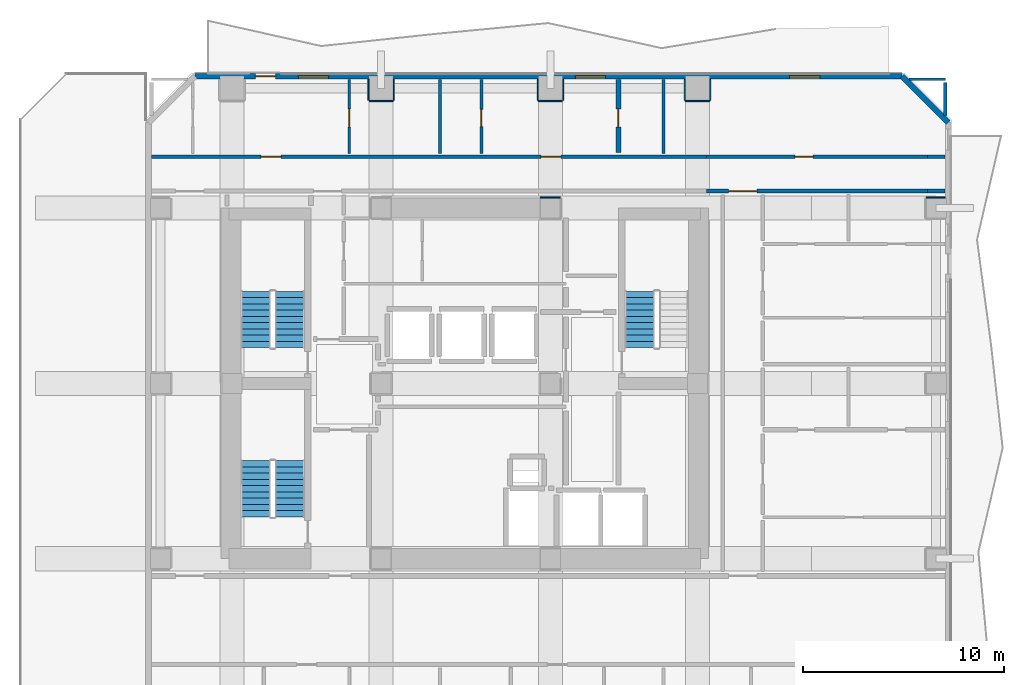
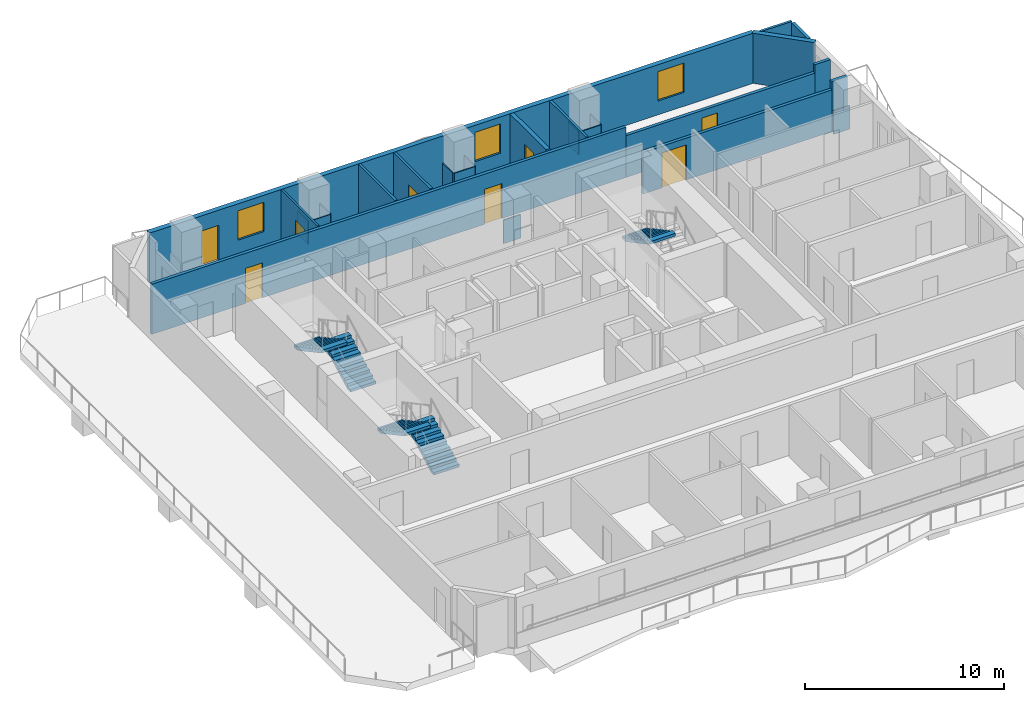
# One storey, part 6 of 10: 25 walls, 8 doors, 5 stair flights, 3 windows, 11 openings, 3 elements without a shape of their own.
"""IFC4 building model written with IfcOpenShell, lengths in metres."""

from ifc_helpers import new_model, si_unit, direction, frame, frame_2d, origin, place, context, subcontext, project, spatial, polyline, rectangle, outline, extrude, material, layer, layer_set, type_object, element, fill, aggregate, save


model = new_model("IFC4")

# Units and contexts
model_context = context("Model", 3, precision=1e-05, world=origin(), true_north=direction((0.0, 1.0)))
body_context = subcontext(model_context, "Body", "Model", "MODEL_VIEW")
ifc_project = project(units=[si_unit("LENGTHUNIT", "METRE"), si_unit("AREAUNIT", "SQUARE_METRE"), si_unit("VOLUMEUNIT", "CUBIC_METRE"), si_unit("PLANEANGLEUNIT", "RADIAN"), si_unit("MASSUNIT", "GRAM", prefix="KILO")], contexts=[model_context])

# Site, building, storey
site_placement = place(None, origin())
site = spatial("IfcSite", under=ifc_project, at=site_placement, CompositionType="ELEMENT")
building_placement = place(site_placement, origin())
building = spatial("IfcBuilding", under=site, at=building_placement, Name="Solanera Arch Residences", CompositionType="ELEMENT")
storey_placement = place(building_placement, frame((0.0, 0.0, 126.0)))
storey = spatial("IfcBuildingStorey", under=building, at=storey_placement, Name="L36", CompositionType="ELEMENT", Elevation=126.0)

# Walls
ifc_material_1 = material(Name="Fire-Rated Gypsum Stud Partition", Category="gypsum")
ifc_layer_1 = layer(ifc_material_1, 0.06005859375)
ifc_layer_set_1 = layer_set([ifc_layer_1], Name="Fire-Rated Gypsum Stud Partition")
wall_type_1 = type_object("IfcWallType", Name="Column Acoustic Furring Wall 60", PredefinedType="PARTITIONING", material=ifc_layer_set_1)
wall_1_placement = place(storey_placement, frame((28.699951171875, 39.931884765625, 0.0), z_axis=(0.0, 0.0, 1.0), x_axis=(1.0, 0.0, 0.0)))
element("IfcWall", 1, at=wall_1_placement, inside=storey, type_object=wall_type_1, Name="L36 Column Furring 4N", PredefinedType="PARTITIONING", context=body_context, shape_type="SweptSolid", body=[
    extrude(rectangle(XDim=1.0, YDim=0.06005859375, at=frame_2d((0.5, 0.0))), origin(), (0.0, 0.0, 1.0), 1.449951171875),
])
wall_2_placement = place(storey_placement, frame((20.199951171875, 44.718017578125, 0.0), z_axis=(0.0, 0.0, 1.0), x_axis=(1.0, 0.0, 0.0)))
element("IfcWall", 2, at=wall_2_placement, inside=storey, type_object=wall_type_1, Name="L36 Column Furring 12S", PredefinedType="PARTITIONING", context=body_context, shape_type="SweptSolid", body=[
    extrude(rectangle(XDim=1.199951171875, YDim=0.06005859375, at=frame_2d((0.60009765625, 0.0))), origin(), (0.0, 0.0, 1.0), 1.449951171875),
])
for number, where, z_axis, x_axis, name in (
    (3, (20.16796875, 44.75, 0.0), (0.0, 0.0, 1.0), (0.0, 1.0, 0.0), "L36 Column Furring 12W"),
    (4, (21.431884765625, 44.75, 0.0), (0.0, 0.0, 1.0), (0.0, 1.0, 0.0), "L36 Column Furring 12E"),
):
    element("IfcWall", number, at=place(storey_placement, frame(where, z_axis=z_axis, x_axis=x_axis)), inside=storey, type_object=wall_type_1, Name=name, PredefinedType="PARTITIONING", context=body_context, shape_type="SweptSolid", body=[
        extrude(rectangle(XDim=1.0400390625, YDim=0.06005859375, at=frame_2d((0.52001953125, 0.0))), origin(), (0.0, 0.0, 1.0), 1.449951171875),
    ])
wall_3_placement = place(storey_placement, frame((28.60009765625, 44.718017578125, 0.0), z_axis=(0.0, 0.0, 1.0), x_axis=(1.0, 0.0, 0.0)))
element("IfcWall", 5, at=wall_3_placement, inside=storey, type_object=wall_type_1, Name="L36 Column Furring 14S", PredefinedType="PARTITIONING", context=body_context, shape_type="SweptSolid", body=[
    extrude(rectangle(XDim=1.199951171875, YDim=0.06005859375, at=frame_2d((0.60009765625, 0.0))), origin(), (0.0, 0.0, 1.0), 1.449951171875),
])
for number, where, z_axis, x_axis, name in (
    (6, (28.568115234375, 44.75, 0.0), (0.0, 0.0, 1.0), (0.0, 1.0, 0.0), "L36 Column Furring 14W"),
    (7, (29.83203125, 44.75, 0.0), (0.0, 0.0, 1.0), (0.0, 1.0, 0.0), "L36 Column Furring 14E"),
):
    element("IfcWall", number, at=place(storey_placement, frame(where, z_axis=z_axis, x_axis=x_axis)), inside=storey, type_object=wall_type_1, Name=name, PredefinedType="PARTITIONING", context=body_context, shape_type="SweptSolid", body=[
        extrude(rectangle(XDim=1.0400390625, YDim=0.06005859375, at=frame_2d((0.52001953125, 0.0))), origin(), (0.0, 0.0, 1.0), 1.449951171875),
    ])
wall_4_placement = place(storey_placement, frame((35.89990234375, 44.718017578125, 0.0), z_axis=(0.0, 0.0, 1.0), x_axis=(1.0, 0.0, 0.0)))
element("IfcWall", 8, at=wall_4_placement, inside=storey, type_object=wall_type_1, Name="L36 Column Furring 16S", PredefinedType="PARTITIONING", context=body_context, shape_type="SweptSolid", body=[
    extrude(rectangle(XDim=1.2001953125, YDim=0.06005859375, at=frame_2d((0.60009765625, 0.0))), origin(), (0.0, 0.0, 1.0), 1.449951171875),
])
for number, where, z_axis, x_axis, name in (
    (9, (35.867919921875, 44.75, 0.0), (0.0, 0.0, 1.0), (0.0, 1.0, 0.0), "L36 Column Furring 16W"),
    (10, (37.132080078125, 44.75, 0.0), (0.0, 0.0, 1.0), (0.0, 1.0, 0.0), "L36 Column Furring 16E"),
):
    element("IfcWall", number, at=place(storey_placement, frame(where, z_axis=z_axis, x_axis=x_axis)), inside=storey, type_object=wall_type_1, Name=name, PredefinedType="PARTITIONING", context=body_context, shape_type="SweptSolid", body=[
        extrude(rectangle(XDim=1.0400390625, YDim=0.06005859375, at=frame_2d((0.52001953125, 0.0))), origin(), (0.0, 0.0, 1.0), 1.449951171875),
    ])
wall_5_placement = place(storey_placement, frame((47.85009765625, 39.931884765625, 0.0), z_axis=(0.0, 0.0, 1.0), x_axis=(1.0, 0.0, 0.0)))
element("IfcWall", 11, at=wall_5_placement, inside=storey, type_object=wall_type_1, Name="L36 Column Furring 22N", PredefinedType="PARTITIONING", context=body_context, shape_type="SweptSolid", body=[
    extrude(rectangle(XDim=0.93994140625, YDim=0.06005859375, at=frame_2d((0.469970703125, 0.0))), origin(), (0.0, 0.0, 1.0), 1.449951171875),
])

# Wall, opening, door
ifc_material_2 = material(Name="Autoclaved Aerated Concrete Blockwork", Category="masonry")
ifc_layer_2 = layer(ifc_material_2, 0.179931640625)
ifc_layer_set_2 = layer_set([ifc_layer_2], Name="Autoclaved Aerated Concrete Blockwork")
wall_type_2 = type_object("IfcWallType", Name="Corridor Fire Partition 180", PredefinedType="PARTITIONING", material=ifc_layer_set_2)
wall_6_placement = place(storey_placement, frame((36.943115234375, 40.25, 0.0), z_axis=(0.0, 0.0, 1.0), x_axis=(1.0, 0.0, 0.0)))
wall_6 = element("IfcWall", 12, at=wall_6_placement, inside=storey, type_object=wall_type_2, Name="L36 Interior Partition H12 2", PredefinedType="PARTITIONING", context=body_context, shape_type="SweptSolid", body=[
    extrude(rectangle(XDim=10.9638671875, YDim=0.179931640625, at=frame_2d((5.48193359375, 0.0))), origin(), (0.0, 0.0, 1.0), 2.56494140625),
])
opening_1_placement = place(wall_6_placement, frame((1.10693359375, 0.0, 0.0)))
opening_1 = element("IfcOpeningElement", 13, at=opening_1_placement, cuts=wall_6, Name="Opening DF-03", PredefinedType="OPENING", context=body_context, shape_type="SweptSolid", body=[
    extrude(rectangle(XDim=1.39990234375, YDim=2.14990234375, at=frame_2d((0.699951171875, 1.074951171875))), frame((0.0, 0.10009765625, 0.0), z_axis=(0.0, -1.0, 0.0), x_axis=(1.0, 0.0, 0.0)), (0.0, 0.0, 1.0), 0.1999),
])
ifc_material_3 = material(Name="Fire-Rated Architectural Hardwood", Category="wood")
door_type_1 = type_object("IfcDoorType", Name="Corridor Smoke Door DF-03", OperationType="NOTDEFINED", PredefinedType="DOOR", material=ifc_material_3)
door_1_placement = place(opening_1_placement, origin())
door_1 = element("IfcDoor", 14, at=door_1_placement, inside=storey, type_object=door_type_1, Name="DR-L36-IN-013", OperationType="SINGLE_SWING_RIGHT", OverallHeight=2.14990234375, OverallWidth=1.39990234375, PredefinedType="DOOR", context=body_context, shape_type="SweptSolid", body=[
    extrude(rectangle(XDim=1.39990234375, YDim=2.14990234375, at=frame_2d((0.699951171875, 1.074951171875))), frame((0.0, 0.02490234375, 0.0), z_axis=(0.0, -1.0, 0.0), x_axis=(1.0, 0.0, 0.0)), (0.0, 0.0, 1.0), 0.050048828125),
])
fill(opening_1, door_1)

# Wall
wall_7_placement = place(storey_placement, frame((47.906982421875, 40.25, 0.0), z_axis=(0.0, 0.0, 1.0), x_axis=(1.0, 0.0, 0.0)))
element("IfcWall", 15, at=wall_7_placement, inside=storey, type_object=wall_type_2, Name="L36 Interior Partition H12 3", PredefinedType="PARTITIONING", context=body_context, shape_type="SweptSolid", body=[
    extrude(rectangle(XDim=0.885986328125, YDim=0.179931640625, at=frame_2d((0.44287109375, 0.0))), origin(), (0.0, 0.0, 1.0), 3.080078125),
])

# Wall, openings, doors
wall_8_placement = place(storey_placement, frame((9.406982421875, 41.949951171875, 0.0), z_axis=(0.0, 0.0, 1.0), x_axis=(1.0, 0.0, 0.0)))
wall_8 = element("IfcWall", 16, at=wall_8_placement, inside=storey, type_object=wall_type_2, Name="L36 Interior Partition H13 1", PredefinedType="PARTITIONING", context=body_context, shape_type="SweptSolid", body=[
    extrude(rectangle(XDim=27.5361328125, YDim=0.179931640625, at=frame_2d((13.76806640625, 0.0))), origin(), (0.0, 0.0, 1.0), 3.080078125),
])
opening_2_placement = place(wall_8_placement, frame((5.427978515625, 0.0, 0.0)))
opening_2 = element("IfcOpeningElement", 17, at=opening_2_placement, cuts=wall_8, Name="Opening DI-01", PredefinedType="OPENING", context=body_context, shape_type="SweptSolid", body=[
    extrude(rectangle(XDim=1.0, YDim=2.14990234375, at=frame_2d((0.5, 1.074951171875))), frame((0.0, 0.10009765625, 0.0), z_axis=(0.0, -1.0, 0.0), x_axis=(1.0, 0.0, 0.0)), (0.0, 0.0, 1.0), 0.1999),
])
opening_3_placement = place(wall_8_placement, frame((19.31591796875, 0.0, 0.0)))
opening_3 = element("IfcOpeningElement", 18, at=opening_3_placement, cuts=wall_8, Name="Opening DI-01", PredefinedType="OPENING", context=body_context, shape_type="SweptSolid", body=[
    extrude(rectangle(XDim=1.0, YDim=2.14990234375, at=frame_2d((0.5, 1.074951171875))), frame((0.0, 0.10009765625, 0.0), z_axis=(0.0, -1.0, 0.0), x_axis=(1.0, 0.0, 0.0)), (0.0, 0.0, 1.0), 0.1999),
])
ifc_material_4 = material(Name="Fire-Rated Architectural Hardwood", Category="wood")
door_type_2 = type_object("IfcDoorType", Name="Unit Entrance Fire Door DI-01", OperationType="NOTDEFINED", PredefinedType="DOOR", material=ifc_material_4)
door_2_placement = place(opening_2_placement, origin())
door_2 = element("IfcDoor", 19, at=door_2_placement, inside=storey, type_object=door_type_2, Name="DR-L36-IN-028", OperationType="SINGLE_SWING_LEFT", OverallHeight=2.14990234375, OverallWidth=1.0, PredefinedType="DOOR", context=body_context, shape_type="SweptSolid", body=[
    extrude(rectangle(XDim=1.0, YDim=2.14990234375, at=frame_2d((0.5, 1.074951171875))), frame((0.0, 0.02490234375, 0.0), z_axis=(0.0, -1.0, 0.0), x_axis=(1.0, 0.0, 0.0)), (0.0, 0.0, 1.0), 0.050048828125),
])
fill(opening_2, door_2)
door_3_placement = place(opening_3_placement, origin())
door_3 = element("IfcDoor", 20, at=door_3_placement, inside=storey, type_object=door_type_2, Name="DR-L36-IN-031", OperationType="SINGLE_SWING_RIGHT", OverallHeight=2.14990234375, OverallWidth=1.0, PredefinedType="DOOR", context=body_context, shape_type="SweptSolid", body=[
    extrude(rectangle(XDim=1.0, YDim=2.14990234375, at=frame_2d((0.5, 1.074951171875))), frame((0.0, 0.02490234375, 0.0), z_axis=(0.0, -1.0, 0.0), x_axis=(1.0, 0.0, 0.0)), (0.0, 0.0, 1.0), 0.050048828125),
])
fill(opening_3, door_3)

# Wall, opening, door
wall_9_placement = place(storey_placement, frame((36.943115234375, 41.949951171875, 0.0), z_axis=(0.0, 0.0, 1.0), x_axis=(1.0, 0.0, 0.0)))
wall_9 = element("IfcWall", 21, at=wall_9_placement, inside=storey, type_object=wall_type_2, Name="L36 Interior Partition H13 2", PredefinedType="PARTITIONING", context=body_context, shape_type="SweptSolid", body=[
    extrude(rectangle(XDim=10.9638671875, YDim=0.179931640625, at=frame_2d((5.48193359375, 0.0))), origin(), (0.0, 0.0, 1.0), 2.56494140625),
])
opening_4_placement = place(wall_9_placement, frame((4.39306640625, 0.0, 0.0)))
opening_4 = element("IfcOpeningElement", 22, at=opening_4_placement, cuts=wall_9, Name="Opening DI-02", PredefinedType="OPENING", context=body_context, shape_type="SweptSolid", body=[
    extrude(rectangle(XDim=0.89990234375, YDim=2.10009765625, at=frame_2d((0.449951171875, 1.050048828125))), frame((0.0, 0.10009765625, 0.0), z_axis=(0.0, -1.0, 0.0), x_axis=(1.0, 0.0, 0.0)), (0.0, 0.0, 1.0), 0.1999),
])
ifc_material_5 = material(Name="Fire-Rated Architectural Hardwood", Category="wood")
door_type_3 = type_object("IfcDoorType", Name="Suite Room Swing Door DI-02", OperationType="NOTDEFINED", PredefinedType="DOOR", material=ifc_material_5)
door_4_placement = place(opening_4_placement, origin())
door_4 = element("IfcDoor", 23, at=door_4_placement, inside=storey, type_object=door_type_3, Name="DR-L36-IN-034", OperationType="SINGLE_SWING_LEFT", OverallHeight=2.10009765625, OverallWidth=0.89990234375, PredefinedType="DOOR", context=body_context, shape_type="SweptSolid", body=[
    extrude(rectangle(XDim=0.89990234375, YDim=2.10009765625, at=frame_2d((0.449951171875, 1.050048828125))), frame((0.0, 0.02490234375, 0.0), z_axis=(0.0, -1.0, 0.0), x_axis=(1.0, 0.0, 0.0)), (0.0, 0.0, 1.0), 0.050048828125),
])
fill(opening_4, door_4)

# Walls
wall_10_placement = place(storey_placement, frame((47.906982421875, 41.949951171875, 0.0), z_axis=(0.0, 0.0, 1.0), x_axis=(1.0, 0.0, 0.0)))
element("IfcWall", 24, at=wall_10_placement, inside=storey, type_object=wall_type_2, Name="L36 Interior Partition H13 3", PredefinedType="PARTITIONING", context=body_context, shape_type="SweptSolid", body=[
    extrude(rectangle(XDim=0.885986328125, YDim=0.179931640625, at=frame_2d((0.44287109375, 0.0))), origin(), (0.0, 0.0, 1.0), 3.080078125),
])
wall_11_placement = place(storey_placement, frame((48.800048828125, 44.0048828125, 0.0), z_axis=(0.0, 0.0, 1.0), x_axis=(0.0, 1.0, 0.0)))
element("IfcWall", 25, at=wall_11_placement, inside=storey, type_object=wall_type_2, Name="L36 Interior Partition V13 2", PredefinedType="PARTITIONING", context=body_context, shape_type="SweptSolid", body=[
    extrude(rectangle(XDim=1.627197265625, YDim=0.179931640625, at=frame_2d((0.8134765625, 0.0))), origin(), (0.0, 0.0, 1.0), 3.080078125),
])

# Wall, openings, door, windows
ifc_material_6 = material(Name="Precast Concrete C35/45", Category="concrete")
ifc_layer_3 = layer(ifc_material_6, 0.280029296875)
ifc_layer_set_3 = layer_set([ifc_layer_3], Name="Precast Concrete C35/45")
wall_type_3 = type_object("IfcWallType", Name="Exterior Wall Precast Masonry-Frame 280", PredefinedType="STANDARD", material=ifc_layer_set_3)
wall_12_placement = place(storey_placement, frame((11.554931640625, 45.945068359375, 0.0), z_axis=(0.0, 0.0, 1.0), x_axis=(1.0, 0.0, 0.0)))
wall_12 = element("IfcWall", 26, at=wall_12_placement, inside=storey, type_object=wall_type_3, Name="L36 Tower Exterior Precast Masonry-Frame Wall N", PredefinedType="STANDARD", context=body_context, shape_type="SweptSolid", body=[
    extrude(rectangle(XDim=35.090087890625, YDim=0.280029296875, at=frame_2d((17.544921875, 0.0))), origin(), (0.0, 0.0, 1.0), 3.080078125),
])
opening_5_placement = place(wall_12_placement, frame((3.009033203125, 0.0, 0.0)))
opening_5 = element("IfcOpeningElement", 27, at=opening_5_placement, cuts=wall_12, Name="Opening DB-01", PredefinedType="OPENING", context=body_context, shape_type="SweptSolid", body=[
    extrude(rectangle(XDim=1.0, YDim=2.14990234375, at=frame_2d((0.5, 1.074951171875))), frame((0.0, 0.14990234375, 0.0), z_axis=(0.0, -1.0, 0.0), x_axis=(1.0, 0.0, 0.0)), (0.0, 0.0, 1.0), 0.3),
])
opening_6_placement = place(wall_12_placement, frame((5.136962890625, 0.0, 0.85009765625)))
opening_6 = element("IfcOpeningElement", 28, at=opening_6_placement, cuts=wall_12, Name="Opening W-02", PredefinedType="OPENING", context=body_context, shape_type="SweptSolid", body=[
    extrude(rectangle(XDim=1.5, YDim=1.800048828125, at=frame_2d((0.75, 0.89990234375))), frame((0.0, 0.14990234375, 0.0), z_axis=(0.0, -1.0, 0.0), x_axis=(1.0, 0.0, 0.0)), (0.0, 0.0, 1.0), 0.3),
])
opening_7_placement = place(wall_12_placement, frame((18.8798828125, 0.0, 0.85009765625)))
opening_7 = element("IfcOpeningElement", 29, at=opening_7_placement, cuts=wall_12, Name="Opening W-02", PredefinedType="OPENING", context=body_context, shape_type="SweptSolid", body=[
    extrude(rectangle(XDim=1.5, YDim=1.800048828125, at=frame_2d((0.75, 0.89990234375))), frame((0.0, 0.14990234375, 0.0), z_axis=(0.0, -1.0, 0.0), x_axis=(1.0, 0.0, 0.0)), (0.0, 0.0, 1.0), 0.3),
])
opening_8_placement = place(wall_12_placement, frame((29.52294921875, 0.0, 0.85009765625)))
opening_8 = element("IfcOpeningElement", 30, at=opening_8_placement, cuts=wall_12, Name="Opening W-02", PredefinedType="OPENING", context=body_context, shape_type="SweptSolid", body=[
    extrude(rectangle(XDim=1.5, YDim=1.800048828125, at=frame_2d((0.75, 0.89990234375))), frame((0.0, 0.14990234375, 0.0), z_axis=(0.0, -1.0, 0.0), x_axis=(1.0, 0.0, 0.0)), (0.0, 0.0, 1.0), 0.3),
])
ifc_material_7 = material(Name="Anodised Aluminium Alloy 6063-T6", Category="aluminium")
door_type_4 = type_object("IfcDoorType", Name="Glazed Balcony Swing Door DB-01", OperationType="NOTDEFINED", PredefinedType="DOOR", material=ifc_material_7)
door_5_placement = place(opening_5_placement, origin())
door_5 = element("IfcDoor", 31, at=door_5_placement, inside=storey, type_object=door_type_4, Name="DR-L36-OUT-03", OperationType="SINGLE_SWING_RIGHT", OverallHeight=2.14990234375, OverallWidth=1.0, PredefinedType="DOOR", context=body_context, shape_type="SweptSolid", body=[
    extrude(rectangle(XDim=1.0, YDim=2.14990234375, at=frame_2d((0.5, 1.074951171875))), frame((0.0, 0.02490234375, 0.0), z_axis=(0.0, -1.0, 0.0), x_axis=(1.0, 0.0, 0.0)), (0.0, 0.0, 1.0), 0.050048828125),
])
fill(opening_5, door_5)
ifc_material_8 = material(Name="Double Glazed Low-E Laminated Glass", Category="glass")
window_type = type_object("IfcWindowType", Name="Punched Window W-02", PartitioningType="DOUBLE_PANEL_VERTICAL", PredefinedType="WINDOW", material=ifc_material_8)
window_1_placement = place(opening_6_placement, origin())
window_1 = element("IfcWindow", 32, at=window_1_placement, inside=storey, type_object=window_type, Name="L36 3604-LIV Punched Window", OverallHeight=1.800048828125, OverallWidth=1.5, PartitioningType="SINGLE_PANEL", PredefinedType="WINDOW", context=body_context, shape_type="SweptSolid", body=[
    extrude(rectangle(XDim=1.5, YDim=1.800048828125, at=frame_2d((0.75, 0.89990234375))), frame((0.0, 0.030029296875, 0.0), z_axis=(0.0, -1.0, 0.0), x_axis=(1.0, 0.0, 0.0)), (0.0, 0.0, 1.0), 0.06005859375),
])
fill(opening_6, window_1)
window_2_placement = place(opening_7_placement, origin())
window_2 = element("IfcWindow", 33, at=window_2_placement, inside=storey, type_object=window_type, Name="L36 3605-LIV Punched Window", OverallHeight=1.800048828125, OverallWidth=1.5, PartitioningType="SINGLE_PANEL", PredefinedType="WINDOW", context=body_context, shape_type="SweptSolid", body=[
    extrude(rectangle(XDim=1.5, YDim=1.800048828125, at=frame_2d((0.75, 0.89990234375))), frame((0.0, 0.030029296875, 0.0), z_axis=(0.0, -1.0, 0.0), x_axis=(1.0, 0.0, 0.0)), (0.0, 0.0, 1.0), 0.06005859375),
])
fill(opening_7, window_2)
window_3_placement = place(opening_8_placement, origin())
window_3 = element("IfcWindow", 34, at=window_3_placement, inside=storey, type_object=window_type, Name="L36 AMN-OFF Punched Window", OverallHeight=1.800048828125, OverallWidth=1.5, PartitioningType="SINGLE_PANEL", PredefinedType="WINDOW", context=body_context, shape_type="SweptSolid", body=[
    extrude(rectangle(XDim=1.5, YDim=1.800048828125, at=frame_2d((0.75, 0.89990234375))), frame((0.0, 0.030029296875, 0.0), z_axis=(0.0, -1.0, 0.0), x_axis=(1.0, 0.0, 0.0)), (0.0, 0.0, 1.0), 0.06005859375),
])
fill(opening_8, window_3)

# Wall
wall_13_placement = place(storey_placement, frame((46.64501953125, 45.945068359375, 0.0), z_axis=(0.0, 0.0, 1.0), x_axis=(0.707106781187, -0.707106781187, 0.0)))
element("IfcWall", 35, at=wall_13_placement, inside=storey, type_object=wall_type_3, Name="L36 Tower Exterior Precast Masonry-Frame Wall CH3", PredefinedType="STANDARD", context=body_context, shape_type="SweptSolid", body=[
    extrude(rectangle(XDim=3.252685546875, YDim=0.280029296875, at=frame_2d((1.62646484375, 0.0))), origin(), (0.0, 0.0, 1.0), 3.080078125),
])

# Wall, opening, door
ifc_material_9 = material(Name="Autoclaved Aerated Concrete Blockwork", Category="masonry")
ifc_layer_4 = layer(ifc_material_9, 0.239990234375)
ifc_layer_set_4 = layer_set([ifc_layer_4], Name="Autoclaved Aerated Concrete Blockwork")
wall_type_4 = type_object("IfcWallType", Name="Shaft Wall Fire-Rated 240", PredefinedType="PARTITIONING", material=ifc_layer_set_4)
wall_14_placement = place(storey_placement, frame((32.580078125, 42.16796875, 0.0), z_axis=(0.0, 0.0, 1.0), x_axis=(0.0, 1.0, 0.0)))
wall_14 = element("IfcWall", 36, at=wall_14_placement, inside=storey, type_object=wall_type_4, Name="L36 Interior Partition V6", PredefinedType="PARTITIONING", context=body_context, shape_type="SweptSolid", body=[
    extrude(rectangle(XDim=3.625, YDim=0.239990234375, at=frame_2d((1.8125, 0.0))), origin(), (0.0, 0.0, 1.0), 3.080078125),
])
opening_9_placement = place(wall_14_placement, frame((1.257080078125, 0.0, 0.0)))
opening_9 = element("IfcOpeningElement", 37, at=opening_9_placement, cuts=wall_14, Name="Opening DI-02", PredefinedType="OPENING", context=body_context, shape_type="SweptSolid", body=[
    extrude(rectangle(XDim=0.89990234375, YDim=2.10009765625, at=frame_2d((0.449951171875, 1.050048828125))), frame((0.0, 0.1298828125, 0.0), z_axis=(0.0, -1.0, 0.0), x_axis=(1.0, 0.0, 0.0)), (0.0, 0.0, 1.0), 0.26),
])
door_6_placement = place(opening_9_placement, origin())
door_6 = element("IfcDoor", 38, at=door_6_placement, inside=storey, type_object=door_type_3, Name="DR-L36-IN-033", OperationType="SINGLE_SWING_RIGHT", OverallHeight=2.10009765625, OverallWidth=0.89990234375, PredefinedType="DOOR", context=body_context, shape_type="SweptSolid", body=[
    extrude(rectangle(XDim=0.89990234375, YDim=2.10009765625, at=frame_2d((0.449951171875, 1.050048828125))), frame((0.0, 0.02490234375, 0.0), z_axis=(0.0, -1.0, 0.0), x_axis=(1.0, 0.0, 0.0)), (0.0, 0.0, 1.0), 0.050048828125),
])
fill(opening_9, door_6)

ifc_material_10 = material(Name="Fire-Rated Gypsum Stud Partition", Category="gypsum")
ifc_layer_5 = layer(ifc_material_10, 0.1201171875)
ifc_layer_set_5 = layer_set([ifc_layer_5], Name="Fire-Rated Gypsum Stud Partition")
wall_type_5 = type_object("IfcWallType", Name="Unit Drywall Partition 120", PredefinedType="PARTITIONING", material=ifc_layer_set_5)
wall_15_placement = place(storey_placement, frame((19.219970703125, 42.10791015625, 0.0), z_axis=(0.0, 0.0, 1.0), x_axis=(0.0, 1.0, 0.0)))
wall_15 = element("IfcWall", 39, at=wall_15_placement, inside=storey, type_object=wall_type_5, Name="L36 Interior Partition V26", PredefinedType="PARTITIONING", context=body_context, shape_type="SweptSolid", body=[
    extrude(rectangle(XDim=3.68505859375, YDim=0.1201171875, at=frame_2d((1.842529296875, 0.0))), origin(), (0.0, 0.0, 1.0), 3.080078125),
])
opening_10_placement = place(wall_15_placement, frame((1.31689453125, 0.0, 0.0)))
opening_10 = element("IfcOpeningElement", 40, at=opening_10_placement, cuts=wall_15, Name="Opening DI-02", PredefinedType="OPENING", context=body_context, shape_type="SweptSolid", body=[
    extrude(rectangle(XDim=0.89990234375, YDim=2.10009765625, at=frame_2d((0.449951171875, 1.050048828125))), frame((0.0, 0.070068359375, 0.0), z_axis=(0.0, -1.0, 0.0), x_axis=(1.0, 0.0, 0.0)), (0.0, 0.0, 1.0), 0.1401),
])
door_7_placement = place(opening_10_placement, origin())
door_7 = element("IfcDoor", 41, at=door_7_placement, inside=storey, type_object=door_type_3, Name="DR-L36-IN-030", OperationType="SINGLE_SWING_LEFT", OverallHeight=2.10009765625, OverallWidth=0.89990234375, PredefinedType="DOOR", context=body_context, shape_type="SweptSolid", body=[
    extrude(rectangle(XDim=0.89990234375, YDim=2.10009765625, at=frame_2d((0.449951171875, 1.050048828125))), frame((0.0, 0.02490234375, 0.0), z_axis=(0.0, -1.0, 0.0), x_axis=(1.0, 0.0, 0.0)), (0.0, 0.0, 1.0), 0.050048828125),
])
fill(opening_10, door_7)

# Walls
ifc_material_11 = material(Name="Autoclaved Aerated Concrete Blockwork", Category="masonry")
ifc_layer_6 = layer(ifc_material_11, 0.139892578125)
ifc_layer_set_6 = layer_set([ifc_layer_6], Name="Autoclaved Aerated Concrete Blockwork")
wall_type_6 = type_object("IfcWallType", Name="Wet-Room Partition 140", PredefinedType="PARTITIONING", material=ifc_layer_set_6)
wall_16_placement = place(storey_placement, frame((47.0048828125, 45.800048828125, 0.0), z_axis=(0.0, 0.0, 1.0), x_axis=(1.0, 0.0, 0.0)))
element("IfcWall", 42, at=wall_16_placement, inside=storey, type_object=wall_type_6, Name="L36 Interior Partition H18 2", PredefinedType="PARTITIONING", context=body_context, shape_type="SweptSolid", body=[
    extrude(rectangle(XDim=1.795166015625, YDim=0.139892578125, at=frame_2d((0.8974609375, 0.0))), origin(), (0.0, 0.0, 1.0), 3.080078125),
])
wall_17_placement = place(storey_placement, frame((23.72607421875, 42.117919921875, 0.0), z_axis=(0.0, 0.0, 1.0), x_axis=(0.0, 1.0, 0.0)))
element("IfcWall", 43, at=wall_17_placement, inside=storey, type_object=wall_type_6, Name="L36 Interior Partition V17", PredefinedType="PARTITIONING", context=body_context, shape_type="SweptSolid", body=[
    extrude(rectangle(XDim=3.675048828125, YDim=0.139892578125, at=frame_2d((1.83740234375, 0.0))), origin(), (0.0, 0.0, 1.0), 3.080078125),
])

# Wall, opening, door
wall_18_placement = place(storey_placement, frame((25.77587890625, 42.117919921875, 0.0), z_axis=(0.0, 0.0, 1.0), x_axis=(0.0, 1.0, 0.0)))
wall_18 = element("IfcWall", 44, at=wall_18_placement, inside=storey, type_object=wall_type_6, Name="L36 Interior Partition V18", PredefinedType="PARTITIONING", context=body_context, shape_type="SweptSolid", body=[
    extrude(rectangle(XDim=3.675048828125, YDim=0.139892578125, at=frame_2d((1.83740234375, 0.0))), origin(), (0.0, 0.0, 1.0), 3.080078125),
])
opening_11_placement = place(wall_18_placement, frame((1.326904296875, 0.0, 0.0)))
opening_11 = element("IfcOpeningElement", 45, at=opening_11_placement, cuts=wall_18, Name="Opening DI-05", PredefinedType="OPENING", context=body_context, shape_type="SweptSolid", body=[
    extrude(rectangle(XDim=0.860107421875, YDim=2.02001953125, at=frame_2d((0.43017578125, 1.010009765625))), frame((0.0, 0.079833984375, 0.0), z_axis=(0.0, -1.0, 0.0), x_axis=(1.0, 0.0, 0.0)), (0.0, 0.0, 1.0), 0.1599),
])
ifc_material_12 = material(Name="Fire-Rated Architectural Hardwood", Category="wood")
door_type_5 = type_object("IfcDoorType", Name="Bathroom Swing Door DI-05", OperationType="NOTDEFINED", PredefinedType="DOOR", material=ifc_material_12)
door_8_placement = place(opening_11_placement, origin())
door_8 = element("IfcDoor", 46, at=door_8_placement, inside=storey, type_object=door_type_5, Name="DR-L36-IN-032", OperationType="SINGLE_SWING_LEFT", OverallHeight=2.02001953125, OverallWidth=0.860107421875, PredefinedType="DOOR", context=body_context, shape_type="SweptSolid", body=[
    extrude(rectangle(XDim=0.860107421875, YDim=2.02001953125, at=frame_2d((0.43017578125, 1.010009765625))), frame((0.0, 0.02490234375, 0.0), z_axis=(0.0, -1.0, 0.0), x_axis=(1.0, 0.0, 0.0)), (0.0, 0.0, 1.0), 0.050048828125),
])
fill(opening_11, door_8)

# Wall
wall_19_placement = place(storey_placement, frame((34.820068359375, 42.117919921875, 0.0), z_axis=(0.0, 0.0, 1.0), x_axis=(0.0, 1.0, 0.0)))
element("IfcWall", 47, at=wall_19_placement, inside=storey, type_object=wall_type_6, Name="L36 Interior Partition V21", PredefinedType="PARTITIONING", context=body_context, shape_type="SweptSolid", body=[
    extrude(rectangle(XDim=3.675048828125, YDim=0.139892578125, at=frame_2d((1.83740234375, 0.0))), origin(), (0.0, 0.0, 1.0), 3.080078125),
])

# Stair, stair flights
ifc_material_13 = material(Name="Concrete C40/50 (f'c = 45 MPa)", Category="concrete")
stair_type = type_object("IfcStairType", Name="Tower Dogleg Exit Stair 1480", PredefinedType="HALF_TURN_STAIR", material=ifc_material_13)
stair_1_placement = place(storey_placement, origin())
stair_1 = element("IfcStair", 48, at=stair_1_placement, inside=storey, type_object=stair_type, Name="L36 Tower Core Exit Stair 1", PredefinedType="HALF_TURN_STAIR")
ifc_material_14 = material(Name="Concrete C40/50 (f'c = 45 MPa)", Category="concrete")
stair_flight_type = type_object("IfcStairFlightType", Name="Tower Precast Stair Flight 1480", PredefinedType="STRAIGHT", material=ifc_material_14)
stair_flight_1_placement = place(storey_placement, frame((16.260009765625, 32.47998046875, 0.0), z_axis=(0.0, 0.0, 1.0), x_axis=(0.0, 1.0, 0.0)))
stair_flight_1 = element("IfcStairFlight", 49, at=stair_flight_1_placement, type_object=stair_flight_type, Name="ST-T1 flight 1", NumberOfRisers=10, NumberOfTreads=9, PredefinedType="STRAIGHT", RiserHeight=0.166, TreadLength=0.31, context=body_context, shape_type="SweptSolid", body=[
    extrude(outline(polyline([(0.0, 0.0), (0.0, 0.166015625), (0.31005859375, 0.166015625), (0.31005859375, 0.33203125), (0.6201171875, 0.33203125), (0.6201171875, 0.498046875), (0.929931640625, 0.498046875), (0.929931640625, 0.6640625), (1.239990234375, 0.6640625), (1.239990234375, 0.830078125), (1.550048828125, 0.830078125), (1.550048828125, 0.99609375), (1.860107421875, 0.99609375), (1.860107421875, 1.162109375), (2.169921875, 1.162109375), (2.169921875, 1.327880859375), (2.47998046875, 1.327880859375), (2.47998046875, 1.493896484375), (2.7900390625, 1.493896484375), (2.7900390625, 1.659912109375), (2.7900390625, 1.323974609375), (0.317626953125, 0.0), (0.0, 0.0)])), frame((0.0, 0.739990234375, 0.0), z_axis=(0.0, -1.0, 0.0), x_axis=(1.0, 0.0, 0.0)), (0.0, 0.0, 1.0), 1.47998046875),
])
stair_flight_2_placement = place(storey_placement, frame((14.580078125, 35.27001953125, 1.659912109375), z_axis=(0.0, 0.0, 1.0), x_axis=(0.0, -1.0, 0.0)))
stair_flight_2 = element("IfcStairFlight", 50, at=stair_flight_2_placement, type_object=stair_flight_type, Name="ST-T1 flight 2", NumberOfRisers=10, NumberOfTreads=9, PredefinedType="STRAIGHT", RiserHeight=0.166, TreadLength=0.31, context=body_context, shape_type="SweptSolid", body=[
    extrude(outline(polyline([(0.0, 0.0), (0.0, 0.166015625), (0.31005859375, 0.166015625), (0.31005859375, 0.33203125), (0.6201171875, 0.33203125), (0.6201171875, 0.498046875), (0.929931640625, 0.498046875), (0.929931640625, 0.6640625), (1.239990234375, 0.6640625), (1.239990234375, 0.830078125), (1.550048828125, 0.830078125), (1.550048828125, 0.99609375), (1.860107421875, 0.99609375), (1.860107421875, 1.162109375), (2.169921875, 1.162109375), (2.169921875, 1.327880859375), (2.47998046875, 1.327880859375), (2.47998046875, 1.493896484375), (2.7900390625, 1.493896484375), (2.7900390625, 1.659912109375), (2.7900390625, 1.323974609375), (0.317626953125, 0.0), (0.0, 0.0)])), frame((0.0, 0.739990234375, 0.0), z_axis=(0.0, -1.0, 0.0), x_axis=(1.0, 0.0, 0.0)), (0.0, 0.0, 1.0), 1.47998046875),
])
aggregate(stair_1, [stair_flight_1, stair_flight_2])

# Stair, stair flight
stair_2_placement = place(storey_placement, origin())
stair_2 = element("IfcStair", 51, at=stair_2_placement, inside=storey, type_object=stair_type, Name="L36 Tower Core Exit Stair 2", PredefinedType="HALF_TURN_STAIR")
stair_flight_3_placement = place(storey_placement, frame((33.639892578125, 35.27001953125, 1.659912109375), z_axis=(0.0, 0.0, 1.0), x_axis=(0.0, -1.0, 0.0)))
stair_flight_3 = element("IfcStairFlight", 52, at=stair_flight_3_placement, type_object=stair_flight_type, Name="ST-T2 flight 2", NumberOfRisers=10, NumberOfTreads=9, PredefinedType="STRAIGHT", RiserHeight=0.166, TreadLength=0.31, context=body_context, shape_type="SweptSolid", body=[
    extrude(outline(polyline([(0.0, 0.0), (0.0, 0.166015625), (0.31005859375, 0.166015625), (0.31005859375, 0.33203125), (0.6201171875, 0.33203125), (0.6201171875, 0.498046875), (0.929931640625, 0.498046875), (0.929931640625, 0.6640625), (1.239990234375, 0.6640625), (1.239990234375, 0.830078125), (1.550048828125, 0.830078125), (1.550048828125, 0.99609375), (1.860107421875, 0.99609375), (1.860107421875, 1.162109375), (2.169921875, 1.162109375), (2.169921875, 1.327880859375), (2.47998046875, 1.327880859375), (2.47998046875, 1.493896484375), (2.7900390625, 1.493896484375), (2.7900390625, 1.659912109375), (2.7900390625, 1.323974609375), (0.317626953125, 0.0), (0.0, 0.0)])), frame((0.0, 0.739990234375, 0.0), z_axis=(0.0, -1.0, 0.0), x_axis=(1.0, 0.0, 0.0)), (0.0, 0.0, 1.0), 1.47998046875),
])
aggregate(stair_2, [stair_flight_3])

# Stair, stair flights
stair_3_placement = place(storey_placement, origin())
stair_3 = element("IfcStair", 53, at=stair_3_placement, inside=storey, type_object=stair_type, Name="L36 Tower Core Exit Stair 3", PredefinedType="HALF_TURN_STAIR")
stair_flight_4_placement = place(storey_placement, frame((16.260009765625, 24.080078125, 0.0), z_axis=(0.0, 0.0, 1.0), x_axis=(0.0, 1.0, 0.0)))
stair_flight_4 = element("IfcStairFlight", 54, at=stair_flight_4_placement, type_object=stair_flight_type, Name="ST-T3 flight 1", NumberOfRisers=10, NumberOfTreads=9, PredefinedType="STRAIGHT", RiserHeight=0.166, TreadLength=0.31, context=body_context, shape_type="SweptSolid", body=[
    extrude(outline(polyline([(0.0, 0.0), (0.0, 0.166015625), (0.31005859375, 0.166015625), (0.31005859375, 0.33203125), (0.6201171875, 0.33203125), (0.6201171875, 0.498046875), (0.929931640625, 0.498046875), (0.929931640625, 0.6640625), (1.239990234375, 0.6640625), (1.239990234375, 0.830078125), (1.550048828125, 0.830078125), (1.550048828125, 0.99609375), (1.860107421875, 0.99609375), (1.860107421875, 1.162109375), (2.169921875, 1.162109375), (2.169921875, 1.327880859375), (2.47998046875, 1.327880859375), (2.47998046875, 1.493896484375), (2.7900390625, 1.493896484375), (2.7900390625, 1.659912109375), (2.7900390625, 1.323974609375), (0.317626953125, 0.0), (0.0, 0.0)])), frame((0.0, 0.739990234375, 0.0), z_axis=(0.0, -1.0, 0.0), x_axis=(1.0, 0.0, 0.0)), (0.0, 0.0, 1.0), 1.47998046875),
])
stair_flight_5_placement = place(storey_placement, frame((14.580078125, 26.8701171875, 1.659912109375), z_axis=(0.0, 0.0, 1.0), x_axis=(0.0, -1.0, 0.0)))
stair_flight_5 = element("IfcStairFlight", 55, at=stair_flight_5_placement, type_object=stair_flight_type, Name="ST-T3 flight 2", NumberOfRisers=10, NumberOfTreads=9, PredefinedType="STRAIGHT", RiserHeight=0.166, TreadLength=0.31, context=body_context, shape_type="SweptSolid", body=[
    extrude(outline(polyline([(0.0, 0.0), (0.0, 0.166015625), (0.31005859375, 0.166015625), (0.31005859375, 0.33203125), (0.6201171875, 0.33203125), (0.6201171875, 0.498046875), (0.929931640625, 0.498046875), (0.929931640625, 0.6640625), (1.239990234375, 0.6640625), (1.239990234375, 0.830078125), (1.550048828125, 0.830078125), (1.550048828125, 0.99609375), (1.860107421875, 0.99609375), (1.860107421875, 1.162109375), (2.169921875, 1.162109375), (2.169921875, 1.327880859375), (2.47998046875, 1.327880859375), (2.47998046875, 1.493896484375), (2.7900390625, 1.493896484375), (2.7900390625, 1.659912109375), (2.7900390625, 1.323974609375), (0.317626953125, 0.0), (0.0, 0.0)])), frame((0.0, 0.739990234375, 0.0), z_axis=(0.0, -1.0, 0.0), x_axis=(1.0, 0.0, 0.0)), (0.0, 0.0, 1.0), 1.47998046875),
])
aggregate(stair_3, [stair_flight_4, stair_flight_5])

save(model, "model.ifc")
